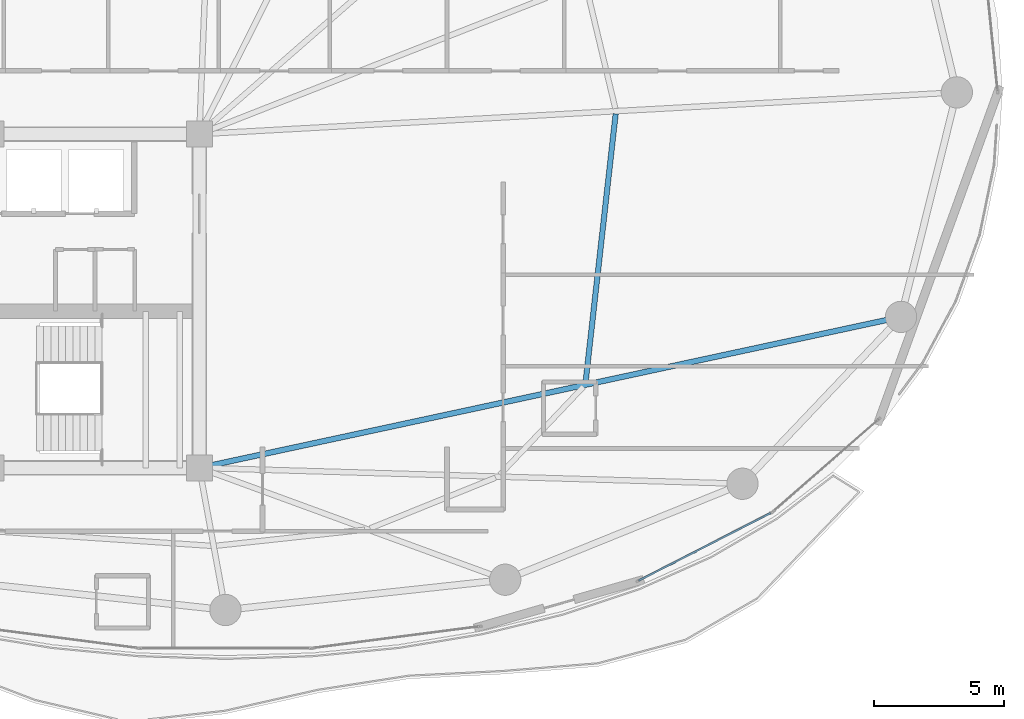
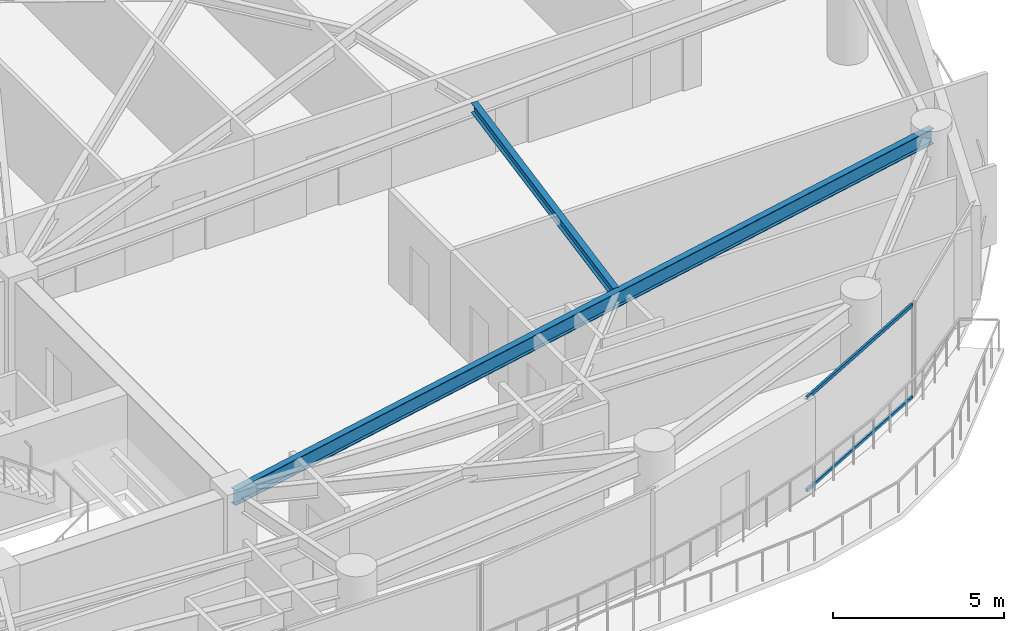
# One storey, part 12 of 31: 2 beams, 2 members, 1 element without a shape of its own.
"""IFC4 building model written with IfcOpenShell, lengths in metres."""

from ifc_helpers import new_model, si_unit, direction, frame, origin, origin_2d, place, context, subcontext, project, spatial, hollow_rectangle, i_section, extrude, material, layer, layer_set, material_profile, profile_set, type_object, element, aggregate, save


model = new_model("IFC4")

# Units and contexts
model_context = context("Model", 3, precision=1e-05, world=origin(), true_north=direction((0.0, 1.0)))
body_context = subcontext(model_context, "Body", "Model", "MODEL_VIEW")
ifc_project = project(units=[si_unit("LENGTHUNIT", "METRE"), si_unit("AREAUNIT", "SQUARE_METRE"), si_unit("VOLUMEUNIT", "CUBIC_METRE"), si_unit("PLANEANGLEUNIT", "RADIAN"), si_unit("MASSUNIT", "GRAM", prefix="KILO")], contexts=[model_context])

# Site, building, storey
site_placement = place(None, origin())
site = spatial("IfcSite", under=ifc_project, at=site_placement, CompositionType="ELEMENT")
building_placement = place(site_placement, origin())
building = spatial("IfcBuilding", under=site, at=building_placement, Name="Kazevale Care Tower and Concert Hall", CompositionType="ELEMENT")
storey_placement = place(building_placement, frame((0.0, 0.0, 117.0)))
storey = spatial("IfcBuildingStorey", under=building, at=storey_placement, Name="L30", CompositionType="ELEMENT", Elevation=117.0)

# Curtain wall, members
ifc_material_1 = material(Name="Aluminium 6063-T6 and Low-E Glass", Category="aluminium")
ifc_layer = layer(ifc_material_1, 0.179931640625)
ifc_layer_set = layer_set([ifc_layer], Name="Aluminium 6063-T6 and Low-E Glass")
curtain_wall_type = type_object("IfcCurtainWallType", Name="Sheltered Concave Balcony Curtain Wall CW-5", PredefinedType="NOTDEFINED", material=ifc_layer_set)
curtain_wall_placement = place(storey_placement, origin())
curtain_wall = element("IfcCurtainWall", 1, at=curtain_wall_placement, inside=storey, type_object=curtain_wall_type, Name="cw:L30:f03", PredefinedType="NOTDEFINED")
ifc_material_2 = material(Name="Aluminium 6063-T6", Category="aluminium")
ifc_material_profile_1 = material_profile(ifc_material_2, hollow_rectangle(XDim=0.074951171875, YDim=0.1201171875, WallThickness=0.00390625, at=origin_2d()), Name="ALU75x120x4")
ifc_profile_set_1 = profile_set([ifc_material_profile_1], Name="Aluminium 6063-T6")
member_type = type_object("IfcMemberType", Name="CW-5 Transom ALU75x120x4", PredefinedType="USERDEFINED", material=ifc_profile_set_1)
member_1_placement = place(storey_placement, frame((65.904296875, 21.86376953125, 0.03759765625), z_axis=(-0.890142600475, -0.455682072084, 0.0), x_axis=(0.455682072084, -0.890142600475, 0.0)))
member_1 = element("IfcMember", 2, at=member_1_placement, type_object=member_type, Name="CW-5 transom 1.1", ObjectType="TRANSOM", PredefinedType="USERDEFINED", context=body_context, shape_type="SweptSolid", body=[
    extrude(hollow_rectangle(XDim=0.074951171875, YDim=0.1201171875, WallThickness=0.00390625, at=origin_2d()), origin(), (0.0, 0.0, 1.0), 5.671630859375),
])
member_2_placement = place(storey_placement, frame((65.904296875, 21.86376953125, 3.322509765625), z_axis=(-0.890142600475, -0.455682072084, 0.0), x_axis=(0.455682072084, -0.890142600475, 0.0)))
member_2 = element("IfcMember", 3, at=member_2_placement, type_object=member_type, Name="CW-5 transom 1.2", ObjectType="TRANSOM", PredefinedType="USERDEFINED", context=body_context, shape_type="SweptSolid", body=[
    extrude(hollow_rectangle(XDim=0.074951171875, YDim=0.1201171875, WallThickness=0.00390625, at=origin_2d()), origin(), (0.0, 0.0, 1.0), 5.671630859375),
])
aggregate(curtain_wall, [member_1, member_2])

# Beams
ifc_material_3 = material(Name="Steel ASTM A572 Gr 50", Category="steel")
ifc_material_profile_2 = material_profile(ifc_material_3, i_section(OverallWidth=0.2119140625, OverallDepth=0.5439453125, WebThickness=0.01318359375, FlangeThickness=0.021240234375, at=origin_2d()), Name="W530x123")
ifc_profile_set_2 = profile_set([ifc_material_profile_2], Name="Steel ASTM A572 Gr 50")
beam_type_1 = type_object("IfcBeamType", Name="Radial Floor Girder W530x123", PredefinedType="BEAM", material=ifc_profile_set_2)
beam_1_placement = place(storey_placement, frame((44.0, 23.60009765625, 3.087890625), z_axis=(0.97762801725, 0.210341293823, 0.0), x_axis=(-0.210341293823, 0.97762801725, 0.0)))
element("IfcBeam", 4, at=beam_1_placement, inside=storey, type_object=beam_type_1, Name="beam:L30:rad:16", PredefinedType="BEAM", context=body_context, shape_type="SweptSolid", body=[
    extrude(i_section(OverallWidth=0.2119140625, OverallDepth=0.5439453125, WebThickness=0.01318359375, FlangeThickness=0.021240234375, at=origin_2d()), origin(), (0.0, 0.0, 1.0), 27.525634765625),
])
ifc_material_profile_3 = material_profile(ifc_material_3, i_section(OverallWidth=0.205078125, OverallDepth=0.35400390625, WebThickness=0.009521484375, FlangeThickness=0.016845703125, at=origin_2d()), Name="W360x79")
ifc_profile_set_3 = profile_set([ifc_material_profile_3], Name="Steel ASTM A572 Gr 50")
beam_type_2 = type_object("IfcBeamType", Name="Secondary Floor Joist W360x79", PredefinedType="JOIST", material=ifc_profile_set_3)
beam_2_placement = place(storey_placement, frame((58.81201171875, 26.888916015625, 3.18310546875), z_axis=(0.111485011105, 0.993766115491, 0.0), x_axis=(-0.993766115491, 0.111485011105, 0.0)))
element("IfcBeam", 5, at=beam_2_placement, inside=storey, type_object=beam_type_2, Name="beam:L30:joist:16", PredefinedType="JOIST", context=body_context, shape_type="SweptSolid", body=[
    extrude(i_section(OverallWidth=0.205078125, OverallDepth=0.35400390625, WebThickness=0.009521484375, FlangeThickness=0.016845703125, at=origin_2d()), origin(), (0.0, 0.0, 1.0), 10.3515625),
])

save(model, "model.ifc")
